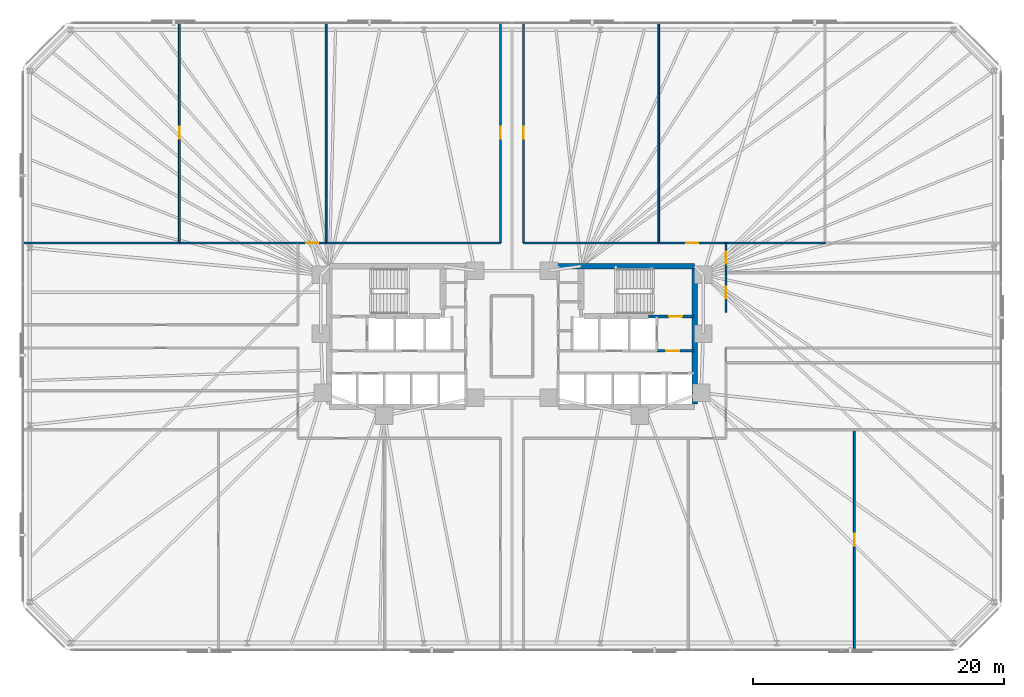
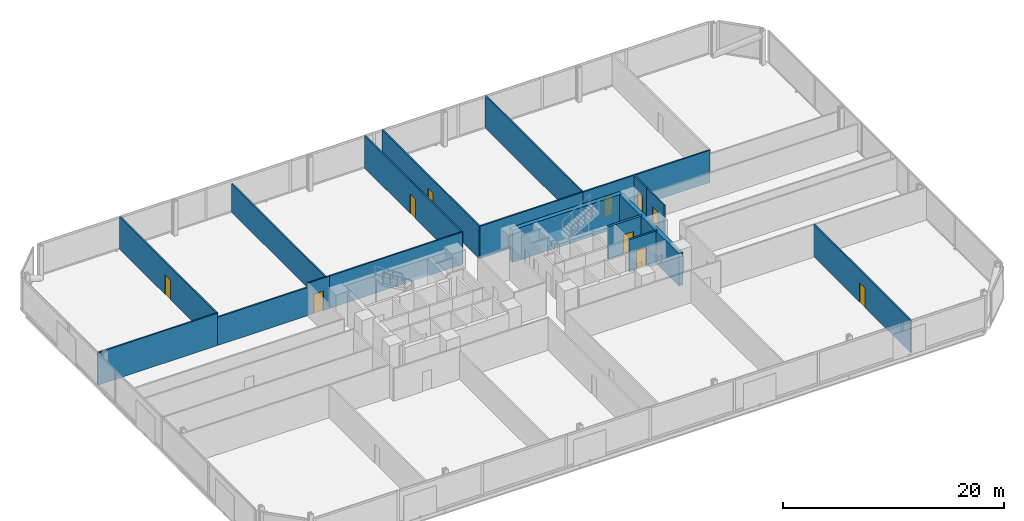
# One storey, part 14 of 17: 19 walls, 10 doors, 10 openings.
"""IFC4 building model written with IfcOpenShell, lengths in metres."""

from ifc_helpers import new_model, si_unit, direction, frame, frame_2d, origin, place, context, subcontext, project, spatial, rectangle, extrude, material, layer, layer_set, type_object, element, fill, save


model = new_model("IFC4")

# Units and contexts
model_context = context("Model", 3, precision=1e-05, world=origin(), true_north=direction((0.0, 1.0)))
body_context = subcontext(model_context, "Body", "Model", "MODEL_VIEW")
ifc_project = project(units=[si_unit("LENGTHUNIT", "METRE"), si_unit("AREAUNIT", "SQUARE_METRE"), si_unit("VOLUMEUNIT", "CUBIC_METRE"), si_unit("PLANEANGLEUNIT", "RADIAN"), si_unit("MASSUNIT", "GRAM", prefix="KILO")], contexts=[model_context])

# Site, building, storey
site_placement = place(None, origin())
site = spatial("IfcSite", under=ifc_project, at=site_placement, CompositionType="ELEMENT")
building_placement = place(site_placement, origin())
building = spatial("IfcBuilding", under=site, at=building_placement, Name="Menara Jurai Vektor", CompositionType="ELEMENT")
storey_placement = place(building_placement, frame((0.0, 0.0, 18.0)))
storey = spatial("IfcBuildingStorey", under=building, at=storey_placement, Name="L03", CompositionType="ELEMENT", Elevation=18.0)

# Wall, opening, door
ifc_material_1 = material(Name="Concrete C40/50", Category="concrete")
ifc_layer_1 = layer(ifc_material_1, 0.25)
ifc_layer_set_1 = layer_set([ifc_layer_1], Name="Concrete C40/50")
wall_type_1 = type_object("IfcWallType", Name="INT-WALL-CORE-250", PredefinedType="STANDARD", material=ifc_layer_set_1)
wall_1_placement = place(storey_placement, frame((10.89990234375, 1.60009765625, 0.0), z_axis=(0.0, 0.0, 1.0), x_axis=(1.0, 0.0, 0.0)))
wall_1 = element("IfcWall", 1, at=wall_1_placement, inside=storey, type_object=wall_type_1, Name="Interior Wall IW-250 L03", PredefinedType="STANDARD", context=body_context, shape_type="SweptSolid", body=[
    extrude(rectangle(XDim=3.60009765625, YDim=0.25, at=frame_2d((1.800048828125, 0.0))), origin(), (0.0, 0.0, 1.0), 3.574951171875),
])
opening_1_placement = place(wall_1_placement, frame((1.6201171875, 0.0, 0.0)))
opening_1 = element("IfcOpeningElement", 2, at=opening_1_placement, cuts=wall_1, Name="Opening D-L03-ST2", PredefinedType="OPENING", context=body_context, shape_type="SweptSolid", body=[
    extrude(rectangle(XDim=1.050048828125, YDim=2.14990234375, at=frame_2d((0.52490234375, 1.074951171875))), frame((0.0, 0.135009765625, 0.0), z_axis=(0.0, -1.0, 0.0), x_axis=(1.0, 0.0, 0.0)), (0.0, 0.0, 1.0), 0.27001953125),
])
ifc_material_2 = material(Name="Fire-Rated Steel Door", Category="steel")
door_type_1 = type_object("IfcDoorType", Name="DR-STAIR-1050", OperationType="NOTDEFINED", PredefinedType="DOOR", material=ifc_material_2)
door_1_placement = place(opening_1_placement, origin())
door_1 = element("IfcDoor", 3, at=door_1_placement, inside=storey, type_object=door_type_1, Name="Exit Stair ST2 Door L03", OperationType="SINGLE_SWING_LEFT", OverallHeight=2.14990234375, OverallWidth=1.050048828125, PredefinedType="DOOR", context=body_context, shape_type="SweptSolid", body=[
    extrude(rectangle(XDim=1.050048828125, YDim=2.14990234375, at=frame_2d((0.52490234375, 1.074951171875))), frame((0.0, 0.02490234375, 0.0), z_axis=(0.0, -1.0, 0.0), x_axis=(1.0, 0.0, 0.0)), (0.0, 0.0, 1.0), 0.050048828125),
])
fill(opening_1, door_1)

wall_2_placement = place(storey_placement, frame((11.550048828125, -1.14990234375, 0.0), z_axis=(0.0, 0.0, 1.0), x_axis=(1.0, 0.0, 0.0)))
wall_2 = element("IfcWall", 4, at=wall_2_placement, inside=storey, type_object=wall_type_1, Name="Interior Wall IW-250 L03", PredefinedType="STANDARD", context=body_context, shape_type="SweptSolid", body=[
    extrude(rectangle(XDim=2.949951171875, YDim=0.199951171875, at=frame_2d((1.47509765625, 0.0))), origin(), (0.0, 0.0, 1.0), 3.574951171875),
])
opening_2_placement = place(wall_2_placement, frame((0.75, 0.0, 0.0)))
opening_2 = element("IfcOpeningElement", 5, at=opening_2_placement, cuts=wall_2, Name="Opening D-L03-FFE", PredefinedType="OPENING", context=body_context, shape_type="SweptSolid", body=[
    extrude(rectangle(XDim=1.050048828125, YDim=2.179931640625, at=frame_2d((0.52490234375, 1.08984375))), frame((0.0, 0.10986328125, 0.0), z_axis=(0.0, -1.0, 0.0), x_axis=(1.0, 0.0, 0.0)), (0.0, 0.0, 1.0), 0.219970703125),
])
ifc_material_3 = material(Name="Fire-Rated Timber Door", Category="wood")
door_type_2 = type_object("IfcDoorType", Name="DR-LOBBY-1050", OperationType="NOTDEFINED", PredefinedType="DOOR", material=ifc_material_3)
door_2_placement = place(opening_2_placement, origin())
door_2 = element("IfcDoor", 6, at=door_2_placement, inside=storey, type_object=door_type_2, Name="Fire Lift Lobby Door E L03", OperationType="SINGLE_SWING_LEFT", OverallHeight=2.179931640625, OverallWidth=1.050048828125, PredefinedType="DOOR", context=body_context, shape_type="SweptSolid", body=[
    extrude(rectangle(XDim=1.050048828125, YDim=2.179931640625, at=frame_2d((0.52490234375, 1.08984375))), frame((0.0, 0.02490234375, 0.0), z_axis=(0.0, -1.0, 0.0), x_axis=(1.0, 0.0, 0.0)), (0.0, 0.0, 1.0), 0.050048828125),
])
fill(opening_2, door_2)

ifc_material_4 = material(Name="Gypsum Fireboard Partition", Category="gypsum")
ifc_layer_2 = layer(ifc_material_4, 0.14990234375)
ifc_layer_set_2 = layer_set([ifc_layer_2], Name="Gypsum Fireboard Partition")
wall_type_2 = type_object("IfcWallType", Name="INT-WALL-CORR-150", PredefinedType="PARTITIONING", material=ifc_layer_set_2)
wall_3_placement = place(storey_placement, frame((-17.05908203125, 7.449951171875, 0.0), z_axis=(0.0, 0.0, 1.0), x_axis=(1.0, 0.0, 0.0)))
wall_3 = element("IfcWall", 7, at=wall_3_placement, inside=storey, type_object=wall_type_2, Name="Interior Wall IW-150 L03", PredefinedType="PARTITIONING", context=body_context, shape_type="SweptSolid", body=[
    extrude(rectangle(XDim=2.239013671875, YDim=0.14990234375, at=frame_2d((1.11962890625, 0.0))), origin(), (0.0, 0.0, 1.0), 3.574951171875),
])
opening_3_placement = place(wall_3_placement, frame((0.64453125, 0.0, 0.0)))
opening_3 = element("IfcOpeningElement", 8, at=opening_3_placement, cuts=wall_3, Name="Opening D03-07", PredefinedType="OPENING", context=body_context, shape_type="SweptSolid", body=[
    extrude(rectangle(XDim=0.949951171875, YDim=2.14990234375, at=frame_2d((0.47509765625, 1.074951171875))), frame((0.0, 0.0849609375, 0.0), z_axis=(0.0, -1.0, 0.0), x_axis=(1.0, 0.0, 0.0)), (0.0, 0.0, 1.0), 0.169921875),
])
ifc_material_5 = material(Name="Solid Core Timber Fire Door", Category="wood")
door_type_3 = type_object("IfcDoorType", Name="DR-ENTRY-950", OperationType="NOTDEFINED", PredefinedType="DOOR", material=ifc_material_5)
door_3_placement = place(opening_3_placement, origin())
door_3 = element("IfcDoor", 9, at=door_3_placement, inside=storey, type_object=door_type_3, Name="Interior Door D03-07", OperationType="SINGLE_SWING_RIGHT", OverallHeight=2.14990234375, OverallWidth=0.949951171875, PredefinedType="DOOR", context=body_context, shape_type="SweptSolid", body=[
    extrude(rectangle(XDim=0.949951171875, YDim=2.14990234375, at=frame_2d((0.47509765625, 1.074951171875))), frame((0.0, 0.02490234375, 0.0), z_axis=(0.0, -1.0, 0.0), x_axis=(1.0, 0.0, 0.0)), (0.0, 0.0, 1.0), 0.050048828125),
])
fill(opening_3, door_3)

# Wall
wall_4_placement = place(storey_placement, frame((-14.820068359375, 7.449951171875, 0.0), z_axis=(0.0, 0.0, 1.0), x_axis=(1.0, 0.0, 0.0)))
element("IfcWall", 10, at=wall_4_placement, inside=storey, type_object=wall_type_2, Name="Interior Wall IW-150 L03", PredefinedType="PARTITIONING", context=body_context, shape_type="SweptSolid", body=[
    extrude(rectangle(XDim=13.900146484375, YDim=0.14990234375, at=frame_2d((6.9501953125, 0.0))), origin(), (0.0, 0.0, 1.0), 3.574951171875),
])

# Wall, opening, door
wall_5_placement = place(storey_placement, frame((-0.919921875, 7.449951171875, 0.0), z_axis=(0.0, 0.0, 1.0), x_axis=(0.0, 1.0, 0.0)))
wall_5 = element("IfcWall", 11, at=wall_5_placement, inside=storey, type_object=wall_type_2, Name="Interior Wall IW-150 L03", PredefinedType="PARTITIONING", context=body_context, shape_type="SweptSolid", body=[
    extrude(rectangle(XDim=17.550048828125, YDim=0.14990234375, at=frame_2d((8.77490234375, 0.0))), origin(), (0.0, 0.0, 1.0), 3.574951171875),
])
opening_4_placement = place(wall_5_placement, frame((8.300048828125, 0.0, 0.0)))
opening_4 = element("IfcOpeningElement", 12, at=opening_4_placement, cuts=wall_5, Name="Opening D03-08", PredefinedType="OPENING", context=body_context, shape_type="SweptSolid", body=[
    extrude(rectangle(XDim=0.949951171875, YDim=2.14990234375, at=frame_2d((0.47509765625, 1.074951171875))), frame((0.0, 0.0849609375, 0.0), z_axis=(0.0, -1.0, 0.0), x_axis=(1.0, 0.0, 0.0)), (0.0, 0.0, 1.0), 0.169921875),
])
door_4_placement = place(opening_4_placement, origin())
door_4 = element("IfcDoor", 13, at=door_4_placement, inside=storey, type_object=door_type_3, Name="Interior Door D03-08", OperationType="SINGLE_SWING_LEFT", OverallHeight=2.14990234375, OverallWidth=0.949951171875, PredefinedType="DOOR", context=body_context, shape_type="SweptSolid", body=[
    extrude(rectangle(XDim=0.949951171875, YDim=2.14990234375, at=frame_2d((0.47509765625, 1.074951171875))), frame((0.0, 0.02490234375, 0.0), z_axis=(0.0, -1.0, 0.0), x_axis=(1.0, 0.0, 0.0)), (0.0, 0.0, 1.0), 0.050048828125),
])
fill(opening_4, door_4)

wall_6_placement = place(storey_placement, frame((0.919921875, 7.449951171875, 0.0), z_axis=(0.0, 0.0, 1.0), x_axis=(0.0, 1.0, 0.0)))
wall_6 = element("IfcWall", 14, at=wall_6_placement, inside=storey, type_object=wall_type_2, Name="Interior Wall IW-150 L03", PredefinedType="PARTITIONING", context=body_context, shape_type="SweptSolid", body=[
    extrude(rectangle(XDim=17.550048828125, YDim=0.14990234375, at=frame_2d((8.77490234375, 0.0))), origin(), (0.0, 0.0, 1.0), 3.574951171875),
])
opening_5_placement = place(wall_6_placement, frame((8.300048828125, 0.0, 0.0)))
opening_5 = element("IfcOpeningElement", 15, at=opening_5_placement, cuts=wall_6, Name="Opening D03-09", PredefinedType="OPENING", context=body_context, shape_type="SweptSolid", body=[
    extrude(rectangle(XDim=0.949951171875, YDim=2.14990234375, at=frame_2d((0.47509765625, 1.074951171875))), frame((0.0, 0.0849609375, 0.0), z_axis=(0.0, -1.0, 0.0), x_axis=(1.0, 0.0, 0.0)), (0.0, 0.0, 1.0), 0.169921875),
])
door_5_placement = place(opening_5_placement, origin())
door_5 = element("IfcDoor", 16, at=door_5_placement, inside=storey, type_object=door_type_3, Name="Interior Door D03-09", OperationType="SINGLE_SWING_RIGHT", OverallHeight=2.14990234375, OverallWidth=0.949951171875, PredefinedType="DOOR", context=body_context, shape_type="SweptSolid", body=[
    extrude(rectangle(XDim=0.949951171875, YDim=2.14990234375, at=frame_2d((0.47509765625, 1.074951171875))), frame((0.0, 0.02490234375, 0.0), z_axis=(0.0, -1.0, 0.0), x_axis=(1.0, 0.0, 0.0)), (0.0, 0.0, 1.0), 0.050048828125),
])
fill(opening_5, door_5)

# Wall
wall_7_placement = place(storey_placement, frame((0.919921875, 7.449951171875, 0.0), z_axis=(0.0, 0.0, 1.0), x_axis=(1.0, 0.0, 0.0)))
element("IfcWall", 17, at=wall_7_placement, inside=storey, type_object=wall_type_2, Name="Interior Wall IW-150 L03", PredefinedType="PARTITIONING", context=body_context, shape_type="SweptSolid", body=[
    extrude(rectangle(XDim=10.780029296875, YDim=0.14990234375, at=frame_2d((5.39013671875, 0.0))), origin(), (0.0, 0.0, 1.0), 3.574951171875),
])

# Wall, opening, door
wall_8_placement = place(storey_placement, frame((11.699951171875, 7.449951171875, 0.0), z_axis=(0.0, 0.0, 1.0), x_axis=(1.0, 0.0, 0.0)))
wall_8 = element("IfcWall", 18, at=wall_8_placement, inside=storey, type_object=wall_type_2, Name="Interior Wall IW-150 L03", PredefinedType="PARTITIONING", context=body_context, shape_type="SweptSolid", body=[
    extrude(rectangle(XDim=5.359130859375, YDim=0.14990234375, at=frame_2d((2.6796875, 0.0))), origin(), (0.0, 0.0, 1.0), 3.574951171875),
])
opening_6_placement = place(wall_8_placement, frame((2.20458984375, 0.0, 0.0)))
opening_6 = element("IfcOpeningElement", 19, at=opening_6_placement, cuts=wall_8, Name="Opening D03-10", PredefinedType="OPENING", context=body_context, shape_type="SweptSolid", body=[
    extrude(rectangle(XDim=0.949951171875, YDim=2.14990234375, at=frame_2d((0.47509765625, 1.074951171875))), frame((0.0, 0.0849609375, 0.0), z_axis=(0.0, -1.0, 0.0), x_axis=(1.0, 0.0, 0.0)), (0.0, 0.0, 1.0), 0.169921875),
])
door_6_placement = place(opening_6_placement, origin())
door_6 = element("IfcDoor", 20, at=door_6_placement, inside=storey, type_object=door_type_3, Name="Interior Door D03-10", OperationType="SINGLE_SWING_LEFT", OverallHeight=2.14990234375, OverallWidth=0.949951171875, PredefinedType="DOOR", context=body_context, shape_type="SweptSolid", body=[
    extrude(rectangle(XDim=0.949951171875, YDim=2.14990234375, at=frame_2d((0.47509765625, 1.074951171875))), frame((0.0, 0.02490234375, 0.0), z_axis=(0.0, -1.0, 0.0), x_axis=(1.0, 0.0, 0.0)), (0.0, 0.0, 1.0), 0.050048828125),
])
fill(opening_6, door_6)

wall_9_placement = place(storey_placement, frame((17.05908203125, 1.93701171875, 0.0), z_axis=(0.0, 0.0, 1.0), x_axis=(0.0, 1.0, 0.0)))
wall_9 = element("IfcWall", 21, at=wall_9_placement, inside=storey, type_object=wall_type_2, Name="Interior Wall IW-150 L03", PredefinedType="PARTITIONING", context=body_context, shape_type="SweptSolid", body=[
    extrude(rectangle(XDim=3.12890625, YDim=0.14990234375, at=frame_2d((1.564453125, 0.0))), origin(), (0.0, 0.0, 1.0), 3.574951171875),
])
opening_7_placement = place(wall_9_placement, frame((1.089599609375, 0.0, 0.0)))
opening_7 = element("IfcOpeningElement", 22, at=opening_7_placement, cuts=wall_9, Name="Opening D03-20", PredefinedType="OPENING", context=body_context, shape_type="SweptSolid", body=[
    extrude(rectangle(XDim=0.949951171875, YDim=2.14990234375, at=frame_2d((0.47509765625, 1.074951171875))), frame((0.0, 0.0849609375, 0.0), z_axis=(0.0, -1.0, 0.0), x_axis=(1.0, 0.0, 0.0)), (0.0, 0.0, 1.0), 0.169921875),
])
door_7_placement = place(opening_7_placement, origin())
door_7 = element("IfcDoor", 23, at=door_7_placement, inside=storey, type_object=door_type_3, Name="Interior Door D03-20", OperationType="SINGLE_SWING_LEFT", OverallHeight=2.14990234375, OverallWidth=0.949951171875, PredefinedType="DOOR", context=body_context, shape_type="SweptSolid", body=[
    extrude(rectangle(XDim=0.949951171875, YDim=2.14990234375, at=frame_2d((0.47509765625, 1.074951171875))), frame((0.0, 0.02490234375, 0.0), z_axis=(0.0, -1.0, 0.0), x_axis=(1.0, 0.0, 0.0)), (0.0, 0.0, 1.0), 0.050048828125),
])
fill(opening_7, door_7)

wall_10_placement = place(storey_placement, frame((17.05908203125, 5.06591796875, 0.0), z_axis=(0.0, 0.0, 1.0), x_axis=(0.0, 1.0, 0.0)))
wall_10 = element("IfcWall", 24, at=wall_10_placement, inside=storey, type_object=wall_type_2, Name="Interior Wall IW-150 L03", PredefinedType="PARTITIONING", context=body_context, shape_type="SweptSolid", body=[
    extrude(rectangle(XDim=2.384033203125, YDim=0.14990234375, at=frame_2d((1.19189453125, 0.0))), origin(), (0.0, 0.0, 1.0), 3.574951171875),
])
opening_8_placement = place(wall_10_placement, frame((0.717041015625, 0.0, 0.0)))
opening_8 = element("IfcOpeningElement", 25, at=opening_8_placement, cuts=wall_10, Name="Opening D03-21", PredefinedType="OPENING", context=body_context, shape_type="SweptSolid", body=[
    extrude(rectangle(XDim=0.949951171875, YDim=2.14990234375, at=frame_2d((0.47509765625, 1.074951171875))), frame((0.0, 0.0849609375, 0.0), z_axis=(0.0, -1.0, 0.0), x_axis=(1.0, 0.0, 0.0)), (0.0, 0.0, 1.0), 0.169921875),
])
door_8_placement = place(opening_8_placement, origin())
door_8 = element("IfcDoor", 26, at=door_8_placement, inside=storey, type_object=door_type_3, Name="Interior Door D03-21", OperationType="SINGLE_SWING_RIGHT", OverallHeight=2.14990234375, OverallWidth=0.949951171875, PredefinedType="DOOR", context=body_context, shape_type="SweptSolid", body=[
    extrude(rectangle(XDim=0.949951171875, YDim=2.14990234375, at=frame_2d((0.47509765625, 1.074951171875))), frame((0.0, 0.02490234375, 0.0), z_axis=(0.0, -1.0, 0.0), x_axis=(1.0, 0.0, 0.0)), (0.0, 0.0, 1.0), 0.050048828125),
])
fill(opening_8, door_8)

wall_11_placement = place(storey_placement, frame((-26.52001953125, 7.449951171875, 0.0), z_axis=(0.0, 0.0, 1.0), x_axis=(0.0, 1.0, 0.0)))
wall_11 = element("IfcWall", 27, at=wall_11_placement, inside=storey, type_object=wall_type_2, Name="Interior Wall IW-150 L03", PredefinedType="PARTITIONING", context=body_context, shape_type="SweptSolid", body=[
    extrude(rectangle(XDim=17.550048828125, YDim=0.14990234375, at=frame_2d((8.77490234375, 0.0))), origin(), (0.0, 0.0, 1.0), 3.574951171875),
])
opening_9_placement = place(wall_11_placement, frame((8.300048828125, 0.0, 0.0)))
opening_9 = element("IfcOpeningElement", 28, at=opening_9_placement, cuts=wall_11, Name="Opening D03-22", PredefinedType="OPENING", context=body_context, shape_type="SweptSolid", body=[
    extrude(rectangle(XDim=0.949951171875, YDim=2.14990234375, at=frame_2d((0.47509765625, 1.074951171875))), frame((0.0, 0.0849609375, 0.0), z_axis=(0.0, -1.0, 0.0), x_axis=(1.0, 0.0, 0.0)), (0.0, 0.0, 1.0), 0.169921875),
])
door_9_placement = place(opening_9_placement, origin())
door_9 = element("IfcDoor", 29, at=door_9_placement, inside=storey, type_object=door_type_3, Name="Interior Door D03-22", OperationType="SINGLE_SWING_LEFT", OverallHeight=2.14990234375, OverallWidth=0.949951171875, PredefinedType="DOOR", context=body_context, shape_type="SweptSolid", body=[
    extrude(rectangle(XDim=0.949951171875, YDim=2.14990234375, at=frame_2d((0.47509765625, 1.074951171875))), frame((0.0, 0.02490234375, 0.0), z_axis=(0.0, -1.0, 0.0), x_axis=(1.0, 0.0, 0.0)), (0.0, 0.0, 1.0), 0.050048828125),
])
fill(opening_9, door_9)

# Walls
wall_12_placement = place(storey_placement, frame((-39.0, 7.449951171875, 0.0), z_axis=(0.0, 0.0, 1.0), x_axis=(1.0, 0.0, 0.0)))
element("IfcWall", 30, at=wall_12_placement, inside=storey, type_object=wall_type_2, Name="Interior Wall IW-150 L03", PredefinedType="PARTITIONING", context=body_context, shape_type="SweptSolid", body=[
    extrude(rectangle(XDim=12.47998046875, YDim=0.14990234375, at=frame_2d((6.239990234375, 0.0))), origin(), (0.0, 0.0, 1.0), 3.574951171875),
])
wall_13_placement = place(storey_placement, frame((11.699951171875, 7.449951171875, 0.0), z_axis=(0.0, 0.0, 1.0), x_axis=(0.0, 1.0, 0.0)))
element("IfcWall", 31, at=wall_13_placement, inside=storey, type_object=wall_type_2, Name="Interior Wall IW-150 L03", PredefinedType="PARTITIONING", context=body_context, shape_type="SweptSolid", body=[
    extrude(rectangle(XDim=17.550048828125, YDim=0.14990234375, at=frame_2d((8.77490234375, 0.0))), origin(), (0.0, 0.0, 1.0), 3.574951171875),
])
wall_14_placement = place(storey_placement, frame((17.05908203125, 7.449951171875, 0.0), z_axis=(0.0, 0.0, 1.0), x_axis=(1.0, 0.0, 0.0)))
element("IfcWall", 32, at=wall_14_placement, inside=storey, type_object=wall_type_2, Name="Interior Wall IW-150 L03", PredefinedType="PARTITIONING", context=body_context, shape_type="SweptSolid", body=[
    extrude(rectangle(XDim=7.90087890625, YDim=0.14990234375, at=frame_2d((3.950439453125, 0.0))), origin(), (0.0, 0.0, 1.0), 3.574951171875),
])

# Wall, opening, door
wall_15_placement = place(storey_placement, frame((27.300048828125, -25.0, 0.0), z_axis=(0.0, 0.0, 1.0), x_axis=(0.0, 1.0, 0.0)))
wall_15 = element("IfcWall", 33, at=wall_15_placement, inside=storey, type_object=wall_type_2, Name="Interior Wall IW-150 L03", PredefinedType="PARTITIONING", context=body_context, shape_type="SweptSolid", body=[
    extrude(rectangle(XDim=17.550048828125, YDim=0.14990234375, at=frame_2d((8.77490234375, 0.0))), origin(), (0.0, 0.0, 1.0), 3.574951171875),
])
opening_10_placement = place(wall_15_placement, frame((8.300048828125, 0.0, 0.0)))
opening_10 = element("IfcOpeningElement", 34, at=opening_10_placement, cuts=wall_15, Name="Opening D03-25", PredefinedType="OPENING", context=body_context, shape_type="SweptSolid", body=[
    extrude(rectangle(XDim=0.949951171875, YDim=2.14990234375, at=frame_2d((0.47509765625, 1.074951171875))), frame((0.0, 0.0849609375, 0.0), z_axis=(0.0, -1.0, 0.0), x_axis=(1.0, 0.0, 0.0)), (0.0, 0.0, 1.0), 0.169921875),
])
door_10_placement = place(opening_10_placement, origin())
door_10 = element("IfcDoor", 35, at=door_10_placement, inside=storey, type_object=door_type_3, Name="Interior Door D03-25", OperationType="SINGLE_SWING_RIGHT", OverallHeight=2.14990234375, OverallWidth=0.949951171875, PredefinedType="DOOR", context=body_context, shape_type="SweptSolid", body=[
    extrude(rectangle(XDim=0.949951171875, YDim=2.14990234375, at=frame_2d((0.47509765625, 1.074951171875))), frame((0.0, 0.02490234375, 0.0), z_axis=(0.0, -1.0, 0.0), x_axis=(1.0, 0.0, 0.0)), (0.0, 0.0, 1.0), 0.050048828125),
])
fill(opening_10, door_10)

# Walls
ifc_layer_3 = layer(ifc_material_4, 0.14990234375)
ifc_layer_set_3 = layer_set([ifc_layer_3], Name="Gypsum Fireboard Partition")
wall_type_3 = type_object("IfcWallType", Name="INT-WALL-CORR-150-H1", PredefinedType="PARTITIONING", material=ifc_layer_set_3)
wall_16_placement = place(storey_placement, frame((-14.820068359375, 7.449951171875, 0.0), z_axis=(0.0, 0.0, 1.0), x_axis=(0.0, 1.0, 0.0)))
element("IfcWall", 36, at=wall_16_placement, inside=storey, type_object=wall_type_3, Name="Interior Wall IW-150 L03", PredefinedType="PARTITIONING", context=body_context, shape_type="SweptSolid", body=[
    extrude(rectangle(XDim=17.550048828125, YDim=0.14990234375, at=frame_2d((8.77490234375, 0.0))), origin(), (0.0, 0.0, 1.0), 3.125),
])
wall_17_placement = place(storey_placement, frame((-26.52001953125, 7.449951171875, 0.0), z_axis=(0.0, 0.0, 1.0), x_axis=(1.0, 0.0, 0.0)))
element("IfcWall", 37, at=wall_17_placement, inside=storey, type_object=wall_type_3, Name="Interior Wall IW-150 L03", PredefinedType="PARTITIONING", context=body_context, shape_type="SweptSolid", body=[
    extrude(rectangle(XDim=9.4609375, YDim=0.14990234375, at=frame_2d((4.73046875, 0.0))), origin(), (0.0, 0.0, 1.0), 3.125),
])
ifc_material_6 = material(Name="Concrete C60/75", Category="concrete")
ifc_layer_4 = layer(ifc_material_6, 0.449951171875)
ifc_layer_set_4 = layer_set([ifc_layer_4], Name="Concrete C60/75")
wall_type_4 = type_object("IfcWallType", Name="STR-WALL-CORE450", PredefinedType="SHEAR", material=ifc_layer_set_4)
wall_18_placement = place(storey_placement, frame((3.14990234375, 5.60009765625, 0.0), z_axis=(0.0, 0.0, 1.0), x_axis=(1.0, 0.0, 0.0)))
element("IfcWall", 38, at=wall_18_placement, inside=storey, type_object=wall_type_4, Name="Core Shear Wall CW-E-N L03", PredefinedType="SHEAR", context=body_context, shape_type="SweptSolid", body=[
    extrude(rectangle(XDim=11.41015625, YDim=0.449951171875, at=frame_2d((5.705078125, 0.0))), origin(), (0.0, 0.0, 1.0), 3.574951171875),
])
wall_19_placement = place(storey_placement, frame((14.56005859375, -5.375, 0.0), z_axis=(0.0, 0.0, 1.0), x_axis=(0.0, 1.0, 0.0)))
element("IfcWall", 39, at=wall_19_placement, inside=storey, type_object=wall_type_4, Name="Core Shear Wall CW-E-E L03", PredefinedType="SHEAR", context=body_context, shape_type="SweptSolid", body=[
    extrude(rectangle(XDim=10.75, YDim=0.449951171875, at=frame_2d((5.375, 0.0))), origin(), (0.0, 0.0, 1.0), 3.574951171875),
])

save(model, "model.ifc")
